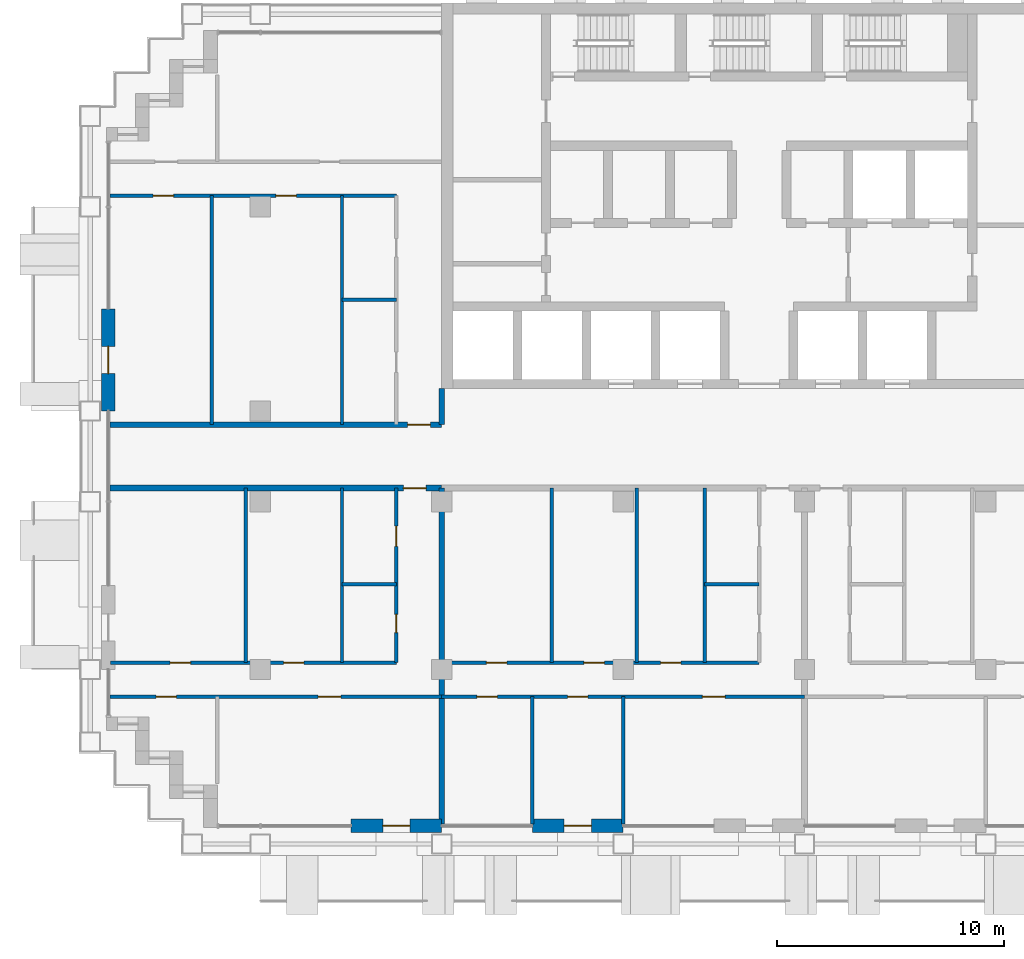
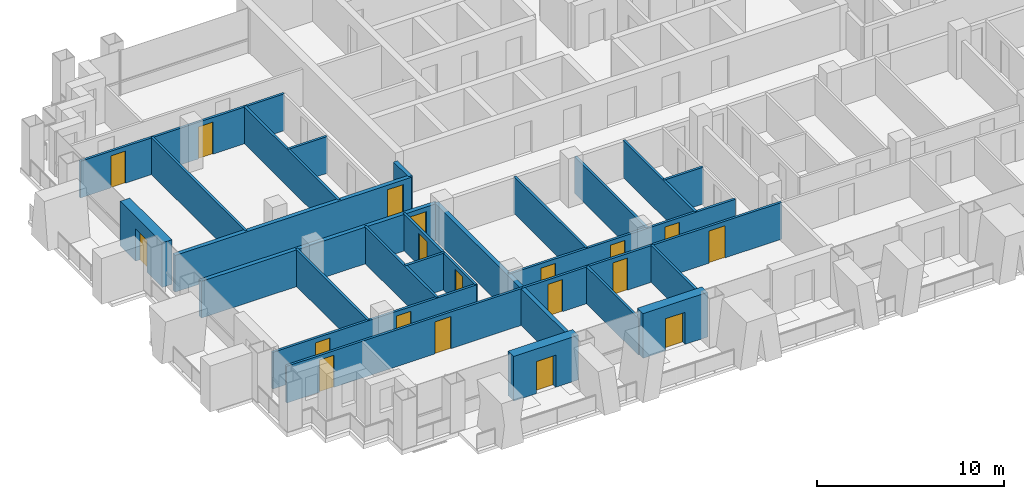
# One storey, part 9 of 17: 25 walls, 19 doors, 19 openings.
"""IFC4 building model written with IfcOpenShell, lengths in metres."""

from ifc_helpers import new_model, si_unit, direction, frame, frame_2d, origin, place, context, subcontext, project, spatial, rectangle, extrude, material, layer, layer_set, type_object, element, fill, save


model = new_model("IFC4")

# Units and contexts
model_context = context("Model", 3, precision=1e-05, world=origin(), true_north=direction((0.0, 1.0)))
body_context = subcontext(model_context, "Body", "Model", "MODEL_VIEW")
ifc_project = project(units=[si_unit("LENGTHUNIT", "METRE"), si_unit("AREAUNIT", "SQUARE_METRE"), si_unit("VOLUMEUNIT", "CUBIC_METRE"), si_unit("PLANEANGLEUNIT", "RADIAN"), si_unit("MASSUNIT", "GRAM", prefix="KILO")], contexts=[model_context])

# Site, building, storey
site_placement = place(None, origin())
site = spatial("IfcSite", under=ifc_project, at=site_placement, CompositionType="ELEMENT")
building_placement = place(site_placement, origin())
building = spatial("IfcBuilding", under=site, at=building_placement, Name="Vidyagriha Tower", CompositionType="ELEMENT")
storey_placement = place(building_placement, frame((0.0, 0.0, 87.10009765625)))
storey = spatial("IfcBuildingStorey", under=building, at=storey_placement, Name="L22", CompositionType="ELEMENT", Elevation=87.10009765625)

# Wall, opening, door
ifc_material_1 = material(Name="Precast concrete C40/50 with brick facing", Category="concrete")
ifc_layer_1 = layer(ifc_material_1, 0.60009765625)
ifc_layer_set_1 = layer_set([ifc_layer_1], Name="Precast concrete C40/50 with brick facing")
wall_type_1 = type_object("IfcWallType", Name="Brick-faced precast wall 600", PredefinedType="STANDARD", material=ifc_layer_set_1)
wall_1_placement = place(storey_placement, frame((-28.699951171875, 6.5, 0.0), z_axis=(0.0, 0.0, 1.0), x_axis=(0.0, -1.0, 0.0)))
wall_1 = element("IfcWall", 1, at=wall_1_placement, inside=storey, type_object=wall_type_1, Name="Brick door bay wall L22 R16.3", PredefinedType="STANDARD", context=body_context, shape_type="SweptSolid", body=[
    extrude(rectangle(XDim=4.5, YDim=0.60009765625, at=frame_2d((2.25, 0.0))), origin(), (0.0, 0.0, 1.0), 2.919921875),
])
opening_1_placement = place(wall_1_placement, frame((1.64990234375, 0.0, 0.0)))
opening_1 = element("IfcOpeningElement", 2, at=opening_1_placement, cuts=wall_1, Name="Opening D22-72", PredefinedType="OPENING", context=body_context, shape_type="SweptSolid", body=[
    extrude(rectangle(XDim=1.199951171875, YDim=2.10009765625, at=frame_2d((0.60009765625, 1.050048828125))), frame((0.0, 0.31005859375, 0.0), z_axis=(0.0, -1.0, 0.0), x_axis=(1.0, 0.0, 0.0)), (0.0, 0.0, 1.0), 0.6201171875),
])
ifc_material_2 = material(Name="Aluminium framed glazed sliding door", Category="aluminium")
door_type_1 = type_object("IfcDoorType", Name="Balcony sliding door 1200x2100", OperationType="NOTDEFINED", PredefinedType="DOOR", material=ifc_material_2)
door_1_placement = place(opening_1_placement, origin())
door_1 = element("IfcDoor", 3, at=door_1_placement, inside=storey, type_object=door_type_1, Name="Door D22-72", OperationType="SLIDING_TO_LEFT", OverallHeight=2.10009765625, OverallWidth=1.199951171875, PredefinedType="DOOR", context=body_context, shape_type="SweptSolid", body=[
    extrude(rectangle(XDim=1.199951171875, YDim=2.10009765625, at=frame_2d((0.60009765625, 1.050048828125))), frame((0.0, 0.02490234375, 0.0), z_axis=(0.0, -1.0, 0.0), x_axis=(1.0, 0.0, 0.0)), (0.0, 0.0, 1.0), 0.050048828125),
])
fill(opening_1, door_1)

wall_2_placement = place(storey_placement, frame((-18.0, -16.300048828125, 0.0)))
wall_2 = element("IfcWall", 4, at=wall_2_placement, inside=storey, type_object=wall_type_1, Name="Brick door bay wall L22 R23.3", PredefinedType="STANDARD", context=body_context, shape_type="SweptSolid", body=[
    extrude(rectangle(XDim=4.0, YDim=0.60009765625, at=frame_2d((2.0, 0.0))), origin(), (0.0, 0.0, 1.0), 2.919921875),
])
opening_2_placement = place(wall_2_placement, frame((1.39990234375, 0.0, 0.0)))
opening_2 = element("IfcOpeningElement", 5, at=opening_2_placement, cuts=wall_2, Name="Opening D22-74", PredefinedType="OPENING", context=body_context, shape_type="SweptSolid", body=[
    extrude(rectangle(XDim=1.199951171875, YDim=2.10009765625, at=frame_2d((0.60009765625, 1.050048828125))), frame((0.0, 0.31005859375, 0.0), z_axis=(0.0, -1.0, 0.0), x_axis=(1.0, 0.0, 0.0)), (0.0, 0.0, 1.0), 0.6201171875),
])
door_2_placement = place(opening_2_placement, origin())
door_2 = element("IfcDoor", 6, at=door_2_placement, inside=storey, type_object=door_type_1, Name="Door D22-74", OperationType="SLIDING_TO_LEFT", OverallHeight=2.10009765625, OverallWidth=1.199951171875, PredefinedType="DOOR", context=body_context, shape_type="SweptSolid", body=[
    extrude(rectangle(XDim=1.199951171875, YDim=2.10009765625, at=frame_2d((0.60009765625, 1.050048828125))), frame((0.0, 0.02490234375, 0.0), z_axis=(0.0, -1.0, 0.0), x_axis=(1.0, 0.0, 0.0)), (0.0, 0.0, 1.0), 0.050048828125),
])
fill(opening_2, door_2)

wall_3_placement = place(storey_placement, frame((-10.0, -16.300048828125, 0.0)))
wall_3 = element("IfcWall", 7, at=wall_3_placement, inside=storey, type_object=wall_type_1, Name="Brick door bay wall L22 R23.5", PredefinedType="STANDARD", context=body_context, shape_type="SweptSolid", body=[
    extrude(rectangle(XDim=4.0, YDim=0.60009765625, at=frame_2d((2.0, 0.0))), origin(), (0.0, 0.0, 1.0), 2.919921875),
])
opening_3_placement = place(wall_3_placement, frame((1.39990234375, 0.0, 0.0)))
opening_3 = element("IfcOpeningElement", 8, at=opening_3_placement, cuts=wall_3, Name="Opening D22-75", PredefinedType="OPENING", context=body_context, shape_type="SweptSolid", body=[
    extrude(rectangle(XDim=1.199951171875, YDim=2.10009765625, at=frame_2d((0.60009765625, 1.050048828125))), frame((0.0, 0.31005859375, 0.0), z_axis=(0.0, -1.0, 0.0), x_axis=(1.0, 0.0, 0.0)), (0.0, 0.0, 1.0), 0.6201171875),
])
door_3_placement = place(opening_3_placement, origin())
door_3 = element("IfcDoor", 9, at=door_3_placement, inside=storey, type_object=door_type_1, Name="Door D22-75", OperationType="SLIDING_TO_LEFT", OverallHeight=2.10009765625, OverallWidth=1.199951171875, PredefinedType="DOOR", context=body_context, shape_type="SweptSolid", body=[
    extrude(rectangle(XDim=1.199951171875, YDim=2.10009765625, at=frame_2d((0.60009765625, 1.050048828125))), frame((0.0, 0.02490234375, 0.0), z_axis=(0.0, -1.0, 0.0), x_axis=(1.0, 0.0, 0.0)), (0.0, 0.0, 1.0), 0.050048828125),
])
fill(opening_3, door_3)

ifc_material_3 = material(Name="Fired clay brick masonry", Category="masonry")
ifc_layer_2 = layer(ifc_material_3, 0.25)
ifc_layer_set_2 = layer_set([ifc_layer_2], Name="Fired clay brick masonry")
wall_type_2 = type_object("IfcWallType", Name="Fired clay brick corridor wall 250", PredefinedType="PARTITIONING", material=ifc_layer_set_2)
wall_4_placement = place(storey_placement, frame((-14.0, -1.39990234375, 0.0), z_axis=(0.0, 0.0, 1.0), x_axis=(-1.0, 0.0, 0.0)))
wall_4 = element("IfcWall", 10, at=wall_4_placement, inside=storey, type_object=wall_type_2, Name="Wall all-L22-w074", PredefinedType="PARTITIONING", context=body_context, shape_type="SweptSolid", body=[
    extrude(rectangle(XDim=14.6201171875, YDim=0.25, at=frame_2d((7.31005859375, 0.0))), origin(), (0.0, 0.0, 1.0), 2.39990234375),
])
opening_4_placement = place(wall_4_placement, frame((0.68896484375, 0.0, 0.0)))
opening_4 = element("IfcOpeningElement", 11, at=opening_4_placement, cuts=wall_4, Name="Opening D22-21", PredefinedType="OPENING", context=body_context, shape_type="SweptSolid", body=[
    extrude(rectangle(XDim=1.0, YDim=2.10009765625, at=frame_2d((0.5, 1.050048828125))), frame((0.0, 0.135009765625, 0.0), z_axis=(0.0, -1.0, 0.0), x_axis=(1.0, 0.0, 0.0)), (0.0, 0.0, 1.0), 0.27001953125),
])
ifc_material_4 = material(Name="Fire-rated timber door leaf EI 60", Category="wood")
door_type_2 = type_object("IfcDoorType", Name="Flat entrance fire door 1000x2100", OperationType="NOTDEFINED", PredefinedType="DOOR", material=ifc_material_4)
door_4_placement = place(opening_4_placement, origin())
door_4 = element("IfcDoor", 12, at=door_4_placement, inside=storey, type_object=door_type_2, Name="Door D22-21", OperationType="SINGLE_SWING_LEFT", OverallHeight=2.10009765625, OverallWidth=1.0, PredefinedType="DOOR", context=body_context, shape_type="SweptSolid", body=[
    extrude(rectangle(XDim=1.0, YDim=2.10009765625, at=frame_2d((0.5, 1.050048828125))), frame((0.0, 0.02490234375, 0.0), z_axis=(0.0, -1.0, 0.0), x_axis=(1.0, 0.0, 0.0)), (0.0, 0.0, 1.0), 0.050048828125),
])
fill(opening_4, door_4)

wall_5_placement = place(storey_placement, frame((-28.6201171875, 1.39990234375, 0.0)))
wall_5 = element("IfcWall", 13, at=wall_5_placement, inside=storey, type_object=wall_type_2, Name="Wall all-L22-w091", PredefinedType="PARTITIONING", context=body_context, shape_type="SweptSolid", body=[
    extrude(rectangle(XDim=14.6201171875, YDim=0.25, at=frame_2d((7.31005859375, 0.0))), origin(), (0.0, 0.0, 1.0), 2.39990234375),
])
opening_5_placement = place(wall_5_placement, frame((13.1201171875, 0.0, 0.0)))
opening_5 = element("IfcOpeningElement", 14, at=opening_5_placement, cuts=wall_5, Name="Opening D22-56", PredefinedType="OPENING", context=body_context, shape_type="SweptSolid", body=[
    extrude(rectangle(XDim=1.0, YDim=2.10009765625, at=frame_2d((0.5, 1.050048828125))), frame((0.0, 0.135009765625, 0.0), z_axis=(0.0, -1.0, 0.0), x_axis=(1.0, 0.0, 0.0)), (0.0, 0.0, 1.0), 0.27001953125),
])
door_5_placement = place(opening_5_placement, origin())
door_5 = element("IfcDoor", 15, at=door_5_placement, inside=storey, type_object=door_type_2, Name="Door D22-56", OperationType="SINGLE_SWING_RIGHT", OverallHeight=2.10009765625, OverallWidth=1.0, PredefinedType="DOOR", context=body_context, shape_type="SweptSolid", body=[
    extrude(rectangle(XDim=1.0, YDim=2.10009765625, at=frame_2d((0.5, 1.050048828125))), frame((0.0, 0.02490234375, 0.0), z_axis=(0.0, -1.0, 0.0), x_axis=(1.0, 0.0, 0.0)), (0.0, 0.0, 1.0), 0.050048828125),
])
fill(opening_5, door_5)

# Walls
wall_6_placement = place(storey_placement, frame((-14.0, 3.0, 0.0), z_axis=(0.0, 0.0, 1.0), x_axis=(0.0, -1.0, 0.0)))
element("IfcWall", 16, at=wall_6_placement, inside=storey, type_object=wall_type_2, Name="Wall all-L22-w126", PredefinedType="PARTITIONING", context=body_context, shape_type="SweptSolid", body=[
    extrude(rectangle(XDim=1.60009765625, YDim=0.25, at=frame_2d((0.800048828125, 0.0))), origin(), (0.0, 0.0, 1.0), 2.39990234375),
])
ifc_material_5 = material(Name="Fired clay brick masonry", Category="masonry")
ifc_layer_3 = layer(ifc_material_5, 0.25)
ifc_layer_set_3 = layer_set([ifc_layer_3], Name="Fired clay brick masonry")
wall_type_3 = type_object("IfcWallType", Name="Fired clay brick demising wall 250", PredefinedType="PARTITIONING", material=ifc_layer_set_3)
wall_7_placement = place(storey_placement, frame((-14.0, -1.39990234375, 0.0), z_axis=(0.0, 0.0, 1.0), x_axis=(0.0, -1.0, 0.0)))
element("IfcWall", 17, at=wall_7_placement, inside=storey, type_object=wall_type_3, Name="Wall all-L22-w033", PredefinedType="PARTITIONING", context=body_context, shape_type="SweptSolid", body=[
    extrude(rectangle(XDim=14.81005859375, YDim=0.25, at=frame_2d((7.405029296875, 0.0))), origin(), (0.0, 0.0, 1.0), 2.39990234375),
])
ifc_material_6 = material(Name="Gypsum board partition")
ifc_layer_4 = layer(ifc_material_6, 0.14990234375)
ifc_layer_set_4 = layer_set([ifc_layer_4], Name="Gypsum board partition")
wall_type_4 = type_object("IfcWallType", Name="Gypsum board partition 150", PredefinedType="PARTITIONING", material=ifc_layer_set_4)
wall_8_placement = place(storey_placement, frame((-16.0, -5.64990234375, 0.0), z_axis=(0.0, 0.0, 1.0), x_axis=(-1.0, 0.0, 0.0)))
element("IfcWall", 18, at=wall_8_placement, inside=storey, type_object=wall_type_4, Name="Wall all-L22-w004", PredefinedType="PARTITIONING", context=body_context, shape_type="SweptSolid", body=[
    extrude(rectangle(XDim=2.39990234375, YDim=0.14990234375, at=frame_2d((1.199951171875, 0.0))), origin(), (0.0, 0.0, 1.0), 2.39990234375),
])
for number, where, z_axis, x_axis, name in (
    (19, (-18.39990234375, -9.10009765625, 0.0), (0.0, 0.0, 1.0), (0.0, 1.0, 0.0), "Wall all-L22-w005"),
    (20, (-22.64990234375, -9.10009765625, 0.0), (0.0, 0.0, 1.0), (0.0, 1.0, 0.0), "Wall all-L22-w006"),
):
    element("IfcWall", number, at=place(storey_placement, frame(where, z_axis=z_axis, x_axis=x_axis)), inside=storey, type_object=wall_type_4, Name=name, PredefinedType="PARTITIONING", context=body_context, shape_type="SweptSolid", body=[
        extrude(rectangle(XDim=7.7001953125, YDim=0.14990234375, at=frame_2d((3.85009765625, 0.0))), origin(), (0.0, 0.0, 1.0), 2.39990234375),
    ])

# Wall, openings, doors
wall_9_placement = place(storey_placement, frame((-28.610107421875, -9.10009765625, 0.0)))
wall_9 = element("IfcWall", 21, at=wall_9_placement, inside=storey, type_object=wall_type_4, Name="Wall all-L22-w007", PredefinedType="PARTITIONING", context=body_context, shape_type="SweptSolid", body=[
    extrude(rectangle(XDim=12.610107421875, YDim=0.14990234375, at=frame_2d((6.30517578125, 0.0))), origin(), (0.0, 0.0, 1.0), 2.39990234375),
])
opening_6_placement = place(wall_9_placement, frame((7.635009765625, 0.0, 0.0)))
opening_6 = element("IfcOpeningElement", 22, at=opening_6_placement, cuts=wall_9, Name="Opening D22-17", PredefinedType="OPENING", context=body_context, shape_type="SweptSolid", body=[
    extrude(rectangle(XDim=0.89990234375, YDim=2.10009765625, at=frame_2d((0.449951171875, 1.050048828125))), frame((0.0, 0.0849609375, 0.0), z_axis=(0.0, -1.0, 0.0), x_axis=(1.0, 0.0, 0.0)), (0.0, 0.0, 1.0), 0.169921875),
])
opening_7_placement = place(wall_9_placement, frame((2.635009765625, 0.0, 0.0)))
opening_7 = element("IfcOpeningElement", 23, at=opening_7_placement, cuts=wall_9, Name="Opening D22-18", PredefinedType="OPENING", context=body_context, shape_type="SweptSolid", body=[
    extrude(rectangle(XDim=0.89990234375, YDim=2.10009765625, at=frame_2d((0.449951171875, 1.050048828125))), frame((0.0, 0.0849609375, 0.0), z_axis=(0.0, -1.0, 0.0), x_axis=(1.0, 0.0, 0.0)), (0.0, 0.0, 1.0), 0.169921875),
])
ifc_material_7 = material(Name="Timber door leaf", Category="wood")
door_type_3 = type_object("IfcDoorType", Name="Room door 900x2100", OperationType="NOTDEFINED", PredefinedType="DOOR", material=ifc_material_7)
door_6_placement = place(opening_6_placement, origin())
door_6 = element("IfcDoor", 24, at=door_6_placement, inside=storey, type_object=door_type_3, Name="Door D22-17", OperationType="SINGLE_SWING_RIGHT", OverallHeight=2.10009765625, OverallWidth=0.89990234375, PredefinedType="DOOR", context=body_context, shape_type="SweptSolid", body=[
    extrude(rectangle(XDim=0.89990234375, YDim=2.10009765625, at=frame_2d((0.449951171875, 1.050048828125))), frame((0.0, 0.02490234375, 0.0), z_axis=(0.0, -1.0, 0.0), x_axis=(1.0, 0.0, 0.0)), (0.0, 0.0, 1.0), 0.050048828125),
])
fill(opening_6, door_6)
door_7_placement = place(opening_7_placement, origin())
door_7 = element("IfcDoor", 25, at=door_7_placement, inside=storey, type_object=door_type_3, Name="Door D22-18", OperationType="SINGLE_SWING_RIGHT", OverallHeight=2.10009765625, OverallWidth=0.89990234375, PredefinedType="DOOR", context=body_context, shape_type="SweptSolid", body=[
    extrude(rectangle(XDim=0.89990234375, YDim=2.10009765625, at=frame_2d((0.449951171875, 1.050048828125))), frame((0.0, 0.02490234375, 0.0), z_axis=(0.0, -1.0, 0.0), x_axis=(1.0, 0.0, 0.0)), (0.0, 0.0, 1.0), 0.050048828125),
])
fill(opening_7, door_7)

wall_10_placement = place(storey_placement, frame((-14.0, -10.60009765625, 0.0), z_axis=(0.0, 0.0, 1.0), x_axis=(-1.0, 0.0, 0.0)))
wall_10 = element("IfcWall", 26, at=wall_10_placement, inside=storey, type_object=wall_type_4, Name="Wall all-L22-w010", PredefinedType="PARTITIONING", context=body_context, shape_type="SweptSolid", body=[
    extrude(rectangle(XDim=14.6201171875, YDim=0.14990234375, at=frame_2d((7.31005859375, 0.0))), origin(), (0.0, 0.0, 1.0), 2.39990234375),
])
opening_8_placement = place(wall_10_placement, frame((11.699951171875, 0.0, 0.0)))
opening_8 = element("IfcOpeningElement", 27, at=opening_8_placement, cuts=wall_10, Name="Opening D22-19", PredefinedType="OPENING", context=body_context, shape_type="SweptSolid", body=[
    extrude(rectangle(XDim=0.89990234375, YDim=2.10009765625, at=frame_2d((0.449951171875, 1.050048828125))), frame((0.0, 0.0849609375, 0.0), z_axis=(0.0, -1.0, 0.0), x_axis=(1.0, 0.0, 0.0)), (0.0, 0.0, 1.0), 0.169921875),
])
opening_9_placement = place(wall_10_placement, frame((4.449951171875, 0.0, 0.0)))
opening_9 = element("IfcOpeningElement", 28, at=opening_9_placement, cuts=wall_10, Name="Opening D22-20", PredefinedType="OPENING", context=body_context, shape_type="SweptSolid", body=[
    extrude(rectangle(XDim=1.0, YDim=2.10009765625, at=frame_2d((0.5, 1.050048828125))), frame((0.0, 0.0849609375, 0.0), z_axis=(0.0, -1.0, 0.0), x_axis=(1.0, 0.0, 0.0)), (0.0, 0.0, 1.0), 0.169921875),
])
ifc_material_8 = material(Name="Timber door leaf", Category="wood")
door_type_4 = type_object("IfcDoorType", Name="Room door 1000x2100", OperationType="NOTDEFINED", PredefinedType="DOOR", material=ifc_material_8)
door_8_placement = place(opening_9_placement, origin())
door_8 = element("IfcDoor", 29, at=door_8_placement, inside=storey, type_object=door_type_4, Name="Door D22-20", OperationType="SINGLE_SWING_RIGHT", OverallHeight=2.10009765625, OverallWidth=1.0, PredefinedType="DOOR", context=body_context, shape_type="SweptSolid", body=[
    extrude(rectangle(XDim=1.0, YDim=2.10009765625, at=frame_2d((0.5, 1.050048828125))), frame((0.0, 0.02490234375, 0.0), z_axis=(0.0, -1.0, 0.0), x_axis=(1.0, 0.0, 0.0)), (0.0, 0.0, 1.0), 0.050048828125),
])
fill(opening_9, door_8)
door_9_placement = place(opening_8_placement, origin())
door_9 = element("IfcDoor", 30, at=door_9_placement, inside=storey, type_object=door_type_3, Name="Door D22-19", OperationType="SINGLE_SWING_RIGHT", OverallHeight=2.10009765625, OverallWidth=0.89990234375, PredefinedType="DOOR", context=body_context, shape_type="SweptSolid", body=[
    extrude(rectangle(XDim=0.89990234375, YDim=2.10009765625, at=frame_2d((0.449951171875, 1.050048828125))), frame((0.0, 0.02490234375, 0.0), z_axis=(0.0, -1.0, 0.0), x_axis=(1.0, 0.0, 0.0)), (0.0, 0.0, 1.0), 0.050048828125),
])
fill(opening_8, door_9)

# Walls
wall_11_placement = place(storey_placement, frame((0.0, -5.64990234375, 0.0), z_axis=(0.0, 0.0, 1.0), x_axis=(-1.0, 0.0, 0.0)))
element("IfcWall", 31, at=wall_11_placement, inside=storey, type_object=wall_type_4, Name="Wall all-L22-w018", PredefinedType="PARTITIONING", context=body_context, shape_type="SweptSolid", body=[
    extrude(rectangle(XDim=2.39990234375, YDim=0.14990234375, at=frame_2d((1.199951171875, 0.0))), origin(), (0.0, 0.0, 1.0), 2.39990234375),
])
for number, where, z_axis, x_axis, name in (
    (32, (-2.39990234375, -9.10009765625, 0.0), (0.0, 0.0, 1.0), (0.0, 1.0, 0.0), "Wall all-L22-w019"),
    (33, (-5.39990234375, -9.10009765625, 0.0), (0.0, 0.0, 1.0), (0.0, 1.0, 0.0), "Wall all-L22-w020"),
    (34, (-9.14990234375, -9.10009765625, 0.0), (0.0, 0.0, 1.0), (0.0, 1.0, 0.0), "Wall all-L22-w021"),
):
    element("IfcWall", number, at=place(storey_placement, frame(where, z_axis=z_axis, x_axis=x_axis)), inside=storey, type_object=wall_type_4, Name=name, PredefinedType="PARTITIONING", context=body_context, shape_type="SweptSolid", body=[
        extrude(rectangle(XDim=7.7001953125, YDim=0.14990234375, at=frame_2d((3.85009765625, 0.0))), origin(), (0.0, 0.0, 1.0), 2.39990234375),
    ])

# Wall, openings, doors
wall_12_placement = place(storey_placement, frame((-14.0, -9.10009765625, 0.0)))
wall_12 = element("IfcWall", 35, at=wall_12_placement, inside=storey, type_object=wall_type_4, Name="Wall all-L22-w022", PredefinedType="PARTITIONING", context=body_context, shape_type="SweptSolid", body=[
    extrude(rectangle(XDim=14.0, YDim=0.14990234375, at=frame_2d((7.0, 0.0))), origin(), (0.0, 0.0, 1.0), 2.39990234375),
])
opening_10_placement = place(wall_12_placement, frame((9.64990234375, 0.0, 0.0)))
opening_10 = element("IfcOpeningElement", 36, at=opening_10_placement, cuts=wall_12, Name="Opening D22-24", PredefinedType="OPENING", context=body_context, shape_type="SweptSolid", body=[
    extrude(rectangle(XDim=0.89990234375, YDim=2.10009765625, at=frame_2d((0.449951171875, 1.050048828125))), frame((0.0, 0.0849609375, 0.0), z_axis=(0.0, -1.0, 0.0), x_axis=(1.0, 0.0, 0.0)), (0.0, 0.0, 1.0), 0.169921875),
])
opening_11_placement = place(wall_12_placement, frame((6.27490234375, 0.0, 0.0)))
opening_11 = element("IfcOpeningElement", 37, at=opening_11_placement, cuts=wall_12, Name="Opening D22-25", PredefinedType="OPENING", context=body_context, shape_type="SweptSolid", body=[
    extrude(rectangle(XDim=0.89990234375, YDim=2.10009765625, at=frame_2d((0.449951171875, 1.050048828125))), frame((0.0, 0.0849609375, 0.0), z_axis=(0.0, -1.0, 0.0), x_axis=(1.0, 0.0, 0.0)), (0.0, 0.0, 1.0), 0.169921875),
])
opening_12_placement = place(wall_12_placement, frame((1.97509765625, 0.0, 0.0)))
opening_12 = element("IfcOpeningElement", 38, at=opening_12_placement, cuts=wall_12, Name="Opening D22-26", PredefinedType="OPENING", context=body_context, shape_type="SweptSolid", body=[
    extrude(rectangle(XDim=0.89990234375, YDim=2.10009765625, at=frame_2d((0.449951171875, 1.050048828125))), frame((0.0, 0.0849609375, 0.0), z_axis=(0.0, -1.0, 0.0), x_axis=(1.0, 0.0, 0.0)), (0.0, 0.0, 1.0), 0.169921875),
])
door_10_placement = place(opening_10_placement, origin())
door_10 = element("IfcDoor", 39, at=door_10_placement, inside=storey, type_object=door_type_3, Name="Door D22-24", OperationType="SINGLE_SWING_LEFT", OverallHeight=2.10009765625, OverallWidth=0.89990234375, PredefinedType="DOOR", context=body_context, shape_type="SweptSolid", body=[
    extrude(rectangle(XDim=0.89990234375, YDim=2.10009765625, at=frame_2d((0.449951171875, 1.050048828125))), frame((0.0, 0.02490234375, 0.0), z_axis=(0.0, -1.0, 0.0), x_axis=(1.0, 0.0, 0.0)), (0.0, 0.0, 1.0), 0.050048828125),
])
fill(opening_10, door_10)
door_11_placement = place(opening_11_placement, origin())
door_11 = element("IfcDoor", 40, at=door_11_placement, inside=storey, type_object=door_type_3, Name="Door D22-25", OperationType="SINGLE_SWING_RIGHT", OverallHeight=2.10009765625, OverallWidth=0.89990234375, PredefinedType="DOOR", context=body_context, shape_type="SweptSolid", body=[
    extrude(rectangle(XDim=0.89990234375, YDim=2.10009765625, at=frame_2d((0.449951171875, 1.050048828125))), frame((0.0, 0.02490234375, 0.0), z_axis=(0.0, -1.0, 0.0), x_axis=(1.0, 0.0, 0.0)), (0.0, 0.0, 1.0), 0.050048828125),
])
fill(opening_11, door_11)
door_12_placement = place(opening_12_placement, origin())
door_12 = element("IfcDoor", 41, at=door_12_placement, inside=storey, type_object=door_type_3, Name="Door D22-26", OperationType="SINGLE_SWING_RIGHT", OverallHeight=2.10009765625, OverallWidth=0.89990234375, PredefinedType="DOOR", context=body_context, shape_type="SweptSolid", body=[
    extrude(rectangle(XDim=0.89990234375, YDim=2.10009765625, at=frame_2d((0.449951171875, 1.050048828125))), frame((0.0, 0.02490234375, 0.0), z_axis=(0.0, -1.0, 0.0), x_axis=(1.0, 0.0, 0.0)), (0.0, 0.0, 1.0), 0.050048828125),
])
fill(opening_12, door_12)

wall_13_placement = place(storey_placement, frame((2.0, -10.60009765625, 0.0), z_axis=(0.0, 0.0, 1.0), x_axis=(-1.0, 0.0, 0.0)))
wall_13 = element("IfcWall", 42, at=wall_13_placement, inside=storey, type_object=wall_type_4, Name="Wall all-L22-w026", PredefinedType="PARTITIONING", context=body_context, shape_type="SweptSolid", body=[
    extrude(rectangle(XDim=16.0, YDim=0.14990234375, at=frame_2d((8.0, 0.0))), origin(), (0.0, 0.0, 1.0), 2.39990234375),
])
opening_13_placement = place(wall_13_placement, frame((13.550048828125, 0.0, 0.0)))
opening_13 = element("IfcOpeningElement", 43, at=opening_13_placement, cuts=wall_13, Name="Opening D22-27", PredefinedType="OPENING", context=body_context, shape_type="SweptSolid", body=[
    extrude(rectangle(XDim=0.89990234375, YDim=2.10009765625, at=frame_2d((0.449951171875, 1.050048828125))), frame((0.0, 0.0849609375, 0.0), z_axis=(0.0, -1.0, 0.0), x_axis=(1.0, 0.0, 0.0)), (0.0, 0.0, 1.0), 0.169921875),
])
opening_14_placement = place(wall_13_placement, frame((9.550048828125, 0.0, 0.0)))
opening_14 = element("IfcOpeningElement", 44, at=opening_14_placement, cuts=wall_13, Name="Opening D22-28", PredefinedType="OPENING", context=body_context, shape_type="SweptSolid", body=[
    extrude(rectangle(XDim=0.89990234375, YDim=2.10009765625, at=frame_2d((0.449951171875, 1.050048828125))), frame((0.0, 0.0849609375, 0.0), z_axis=(0.0, -1.0, 0.0), x_axis=(1.0, 0.0, 0.0)), (0.0, 0.0, 1.0), 0.169921875),
])
opening_15_placement = place(wall_13_placement, frame((3.5, 0.0, 0.0)))
opening_15 = element("IfcOpeningElement", 45, at=opening_15_placement, cuts=wall_13, Name="Opening D22-29", PredefinedType="OPENING", context=body_context, shape_type="SweptSolid", body=[
    extrude(rectangle(XDim=1.0, YDim=2.10009765625, at=frame_2d((0.5, 1.050048828125))), frame((0.0, 0.0849609375, 0.0), z_axis=(0.0, -1.0, 0.0), x_axis=(1.0, 0.0, 0.0)), (0.0, 0.0, 1.0), 0.169921875),
])
door_13_placement = place(opening_15_placement, origin())
door_13 = element("IfcDoor", 46, at=door_13_placement, inside=storey, type_object=door_type_4, Name="Door D22-29", OperationType="SINGLE_SWING_RIGHT", OverallHeight=2.10009765625, OverallWidth=1.0, PredefinedType="DOOR", context=body_context, shape_type="SweptSolid", body=[
    extrude(rectangle(XDim=1.0, YDim=2.10009765625, at=frame_2d((0.5, 1.050048828125))), frame((0.0, 0.02490234375, 0.0), z_axis=(0.0, -1.0, 0.0), x_axis=(1.0, 0.0, 0.0)), (0.0, 0.0, 1.0), 0.050048828125),
])
fill(opening_15, door_13)
door_14_placement = place(opening_13_placement, origin())
door_14 = element("IfcDoor", 47, at=door_14_placement, inside=storey, type_object=door_type_3, Name="Door D22-27", OperationType="SINGLE_SWING_RIGHT", OverallHeight=2.10009765625, OverallWidth=0.89990234375, PredefinedType="DOOR", context=body_context, shape_type="SweptSolid", body=[
    extrude(rectangle(XDim=0.89990234375, YDim=2.10009765625, at=frame_2d((0.449951171875, 1.050048828125))), frame((0.0, 0.02490234375, 0.0), z_axis=(0.0, -1.0, 0.0), x_axis=(1.0, 0.0, 0.0)), (0.0, 0.0, 1.0), 0.050048828125),
])
fill(opening_13, door_14)
door_15_placement = place(opening_14_placement, origin())
door_15 = element("IfcDoor", 48, at=door_15_placement, inside=storey, type_object=door_type_3, Name="Door D22-28", OperationType="SINGLE_SWING_RIGHT", OverallHeight=2.10009765625, OverallWidth=0.89990234375, PredefinedType="DOOR", context=body_context, shape_type="SweptSolid", body=[
    extrude(rectangle(XDim=0.89990234375, YDim=2.10009765625, at=frame_2d((0.449951171875, 1.050048828125))), frame((0.0, 0.02490234375, 0.0), z_axis=(0.0, -1.0, 0.0), x_axis=(1.0, 0.0, 0.0)), (0.0, 0.0, 1.0), 0.050048828125),
])
fill(opening_14, door_15)

# Walls
wall_14_placement = place(storey_placement, frame((-10.0, -10.60009765625, 0.0), z_axis=(0.0, 0.0, 1.0), x_axis=(0.0, -1.0, 0.0)))
element("IfcWall", 49, at=wall_14_placement, inside=storey, type_object=wall_type_4, Name="Wall all-L22-w030", PredefinedType="PARTITIONING", context=body_context, shape_type="SweptSolid", body=[
    extrude(rectangle(XDim=5.620849609375, YDim=0.14990234375, at=frame_2d((2.810546875, 0.0))), origin(), (0.0, 0.0, 1.0), 2.39990234375),
])
wall_15_placement = place(storey_placement, frame((-6.0, -10.60009765625, 0.0), z_axis=(0.0, 0.0, 1.0), x_axis=(0.0, -1.0, 0.0)))
element("IfcWall", 50, at=wall_15_placement, inside=storey, type_object=wall_type_4, Name="Wall all-L22-w031", PredefinedType="PARTITIONING", context=body_context, shape_type="SweptSolid", body=[
    extrude(rectangle(XDim=5.60986328125, YDim=0.14990234375, at=frame_2d((2.804931640625, 0.0))), origin(), (0.0, 0.0, 1.0), 2.39990234375),
])
wall_16_placement = place(storey_placement, frame((-18.39990234375, 6.89990234375, 0.0)))
element("IfcWall", 51, at=wall_16_placement, inside=storey, type_object=wall_type_4, Name="Wall all-L22-w080", PredefinedType="PARTITIONING", context=body_context, shape_type="SweptSolid", body=[
    extrude(rectangle(XDim=2.39990234375, YDim=0.14990234375, at=frame_2d((1.199951171875, 0.0))), origin(), (0.0, 0.0, 1.0), 2.39990234375),
])
for number, where, z_axis, x_axis, name in (
    (52, (-18.39990234375, 1.39990234375, 0.0), (0.0, 0.0, 1.0), (0.0, 1.0, 0.0), "Wall all-L22-w081"),
    (53, (-24.14990234375, 1.39990234375, 0.0), (0.0, 0.0, 1.0), (0.0, 1.0, 0.0), "Wall all-L22-w082"),
):
    element("IfcWall", number, at=place(storey_placement, frame(where, z_axis=z_axis, x_axis=x_axis)), inside=storey, type_object=wall_type_4, Name=name, PredefinedType="PARTITIONING", context=body_context, shape_type="SweptSolid", body=[
        extrude(rectangle(XDim=10.10009765625, YDim=0.14990234375, at=frame_2d((5.050048828125, 0.0))), origin(), (0.0, 0.0, 1.0), 2.39990234375),
    ])

# Wall, openings, doors
wall_17_placement = place(storey_placement, frame((-16.0, 11.5, 0.0), z_axis=(0.0, 0.0, 1.0), x_axis=(-1.0, 0.0, 0.0)))
wall_17 = element("IfcWall", 54, at=wall_17_placement, inside=storey, type_object=wall_type_4, Name="Wall all-L22-w083", PredefinedType="PARTITIONING", context=body_context, shape_type="SweptSolid", body=[
    extrude(rectangle(XDim=12.6201171875, YDim=0.14990234375, at=frame_2d((6.31005859375, 0.0))), origin(), (0.0, 0.0, 1.0), 2.39990234375),
])
opening_16_placement = place(wall_17_placement, frame((4.410888671875, 0.0, 0.0)))
opening_16 = element("IfcOpeningElement", 55, at=opening_16_placement, cuts=wall_17, Name="Opening D22-52", PredefinedType="OPENING", context=body_context, shape_type="SweptSolid", body=[
    extrude(rectangle(XDim=0.89990234375, YDim=2.10009765625, at=frame_2d((0.449951171875, 1.050048828125))), frame((0.0, 0.0849609375, 0.0), z_axis=(0.0, -1.0, 0.0), x_axis=(1.0, 0.0, 0.0)), (0.0, 0.0, 1.0), 0.169921875),
])
opening_17_placement = place(wall_17_placement, frame((9.824951171875, 0.0, 0.0)))
opening_17 = element("IfcOpeningElement", 56, at=opening_17_placement, cuts=wall_17, Name="Opening D22-53", PredefinedType="OPENING", context=body_context, shape_type="SweptSolid", body=[
    extrude(rectangle(XDim=0.89990234375, YDim=2.10009765625, at=frame_2d((0.449951171875, 1.050048828125))), frame((0.0, 0.0849609375, 0.0), z_axis=(0.0, -1.0, 0.0), x_axis=(1.0, 0.0, 0.0)), (0.0, 0.0, 1.0), 0.169921875),
])
door_16_placement = place(opening_16_placement, origin())
door_16 = element("IfcDoor", 57, at=door_16_placement, inside=storey, type_object=door_type_3, Name="Door D22-52", OperationType="SINGLE_SWING_LEFT", OverallHeight=2.10009765625, OverallWidth=0.89990234375, PredefinedType="DOOR", context=body_context, shape_type="SweptSolid", body=[
    extrude(rectangle(XDim=0.89990234375, YDim=2.10009765625, at=frame_2d((0.449951171875, 1.050048828125))), frame((0.0, 0.02490234375, 0.0), z_axis=(0.0, -1.0, 0.0), x_axis=(1.0, 0.0, 0.0)), (0.0, 0.0, 1.0), 0.050048828125),
])
fill(opening_16, door_16)
door_17_placement = place(opening_17_placement, origin())
door_17 = element("IfcDoor", 58, at=door_17_placement, inside=storey, type_object=door_type_3, Name="Door D22-53", OperationType="SINGLE_SWING_RIGHT", OverallHeight=2.10009765625, OverallWidth=0.89990234375, PredefinedType="DOOR", context=body_context, shape_type="SweptSolid", body=[
    extrude(rectangle(XDim=0.89990234375, YDim=2.10009765625, at=frame_2d((0.449951171875, 1.050048828125))), frame((0.0, 0.02490234375, 0.0), z_axis=(0.0, -1.0, 0.0), x_axis=(1.0, 0.0, 0.0)), (0.0, 0.0, 1.0), 0.050048828125),
])
fill(opening_17, door_17)

ifc_material_9 = material(Name="Moisture resistant gypsum board partition")
ifc_layer_5 = layer(ifc_material_9, 0.14990234375)
ifc_layer_set_5 = layer_set([ifc_layer_5], Name="Moisture resistant gypsum board partition")
wall_type_5 = type_object("IfcWallType", Name="Gypsum board wet-area partition 150", PredefinedType="PARTITIONING", material=ifc_layer_set_5)
wall_18_placement = place(storey_placement, frame((-16.0, -9.10009765625, 0.0), z_axis=(0.0, 0.0, 1.0), x_axis=(0.0, 1.0, 0.0)))
wall_18 = element("IfcWall", 59, at=wall_18_placement, inside=storey, type_object=wall_type_5, Name="Wall all-L22-w001", PredefinedType="PARTITIONING", context=body_context, shape_type="SweptSolid", body=[
    extrude(rectangle(XDim=7.7001953125, YDim=0.14990234375, at=frame_2d((3.85009765625, 0.0))), origin(), (0.0, 0.0, 1.0), 2.39990234375),
])
opening_18_placement = place(wall_18_placement, frame((5.125, 0.0, 0.0)))
opening_18 = element("IfcOpeningElement", 60, at=opening_18_placement, cuts=wall_18, Name="Opening D22-15", PredefinedType="OPENING", context=body_context, shape_type="SweptSolid", body=[
    extrude(rectangle(XDim=0.89990234375, YDim=2.10009765625, at=frame_2d((0.449951171875, 1.050048828125))), frame((0.0, 0.0849609375, 0.0), z_axis=(0.0, -1.0, 0.0), x_axis=(1.0, 0.0, 0.0)), (0.0, 0.0, 1.0), 0.169921875),
])
opening_19_placement = place(wall_18_placement, frame((1.324951171875, 0.0, 0.0)))
opening_19 = element("IfcOpeningElement", 61, at=opening_19_placement, cuts=wall_18, Name="Opening D22-16", PredefinedType="OPENING", context=body_context, shape_type="SweptSolid", body=[
    extrude(rectangle(XDim=0.800048828125, YDim=2.10009765625, at=frame_2d((0.39990234375, 1.050048828125))), frame((0.0, 0.0849609375, 0.0), z_axis=(0.0, -1.0, 0.0), x_axis=(1.0, 0.0, 0.0)), (0.0, 0.0, 1.0), 0.169921875),
])
ifc_material_10 = material(Name="Timber door leaf", Category="wood")
door_type_5 = type_object("IfcDoorType", Name="Bathroom door 800x2100", OperationType="NOTDEFINED", PredefinedType="DOOR", material=ifc_material_10)
door_18_placement = place(opening_19_placement, origin())
door_18 = element("IfcDoor", 62, at=door_18_placement, inside=storey, type_object=door_type_5, Name="Door D22-16", OperationType="SINGLE_SWING_RIGHT", OverallHeight=2.10009765625, OverallWidth=0.800048828125, PredefinedType="DOOR", context=body_context, shape_type="SweptSolid", body=[
    extrude(rectangle(XDim=0.800048828125, YDim=2.10009765625, at=frame_2d((0.39990234375, 1.050048828125))), frame((0.0, 0.02490234375, 0.0), z_axis=(0.0, -1.0, 0.0), x_axis=(1.0, 0.0, 0.0)), (0.0, 0.0, 1.0), 0.050048828125),
])
fill(opening_19, door_18)
ifc_material_11 = material(Name="Timber door leaf", Category="wood")
door_type_6 = type_object("IfcDoorType", Name="Kitchen door 900x2100", OperationType="NOTDEFINED", PredefinedType="DOOR", material=ifc_material_11)
door_19_placement = place(opening_18_placement, origin())
door_19 = element("IfcDoor", 63, at=door_19_placement, inside=storey, type_object=door_type_6, Name="Door D22-15", OperationType="SINGLE_SWING_LEFT", OverallHeight=2.10009765625, OverallWidth=0.89990234375, PredefinedType="DOOR", context=body_context, shape_type="SweptSolid", body=[
    extrude(rectangle(XDim=0.89990234375, YDim=2.10009765625, at=frame_2d((0.449951171875, 1.050048828125))), frame((0.0, 0.02490234375, 0.0), z_axis=(0.0, -1.0, 0.0), x_axis=(1.0, 0.0, 0.0)), (0.0, 0.0, 1.0), 0.050048828125),
])
fill(opening_18, door_19)

save(model, "model.ifc")
